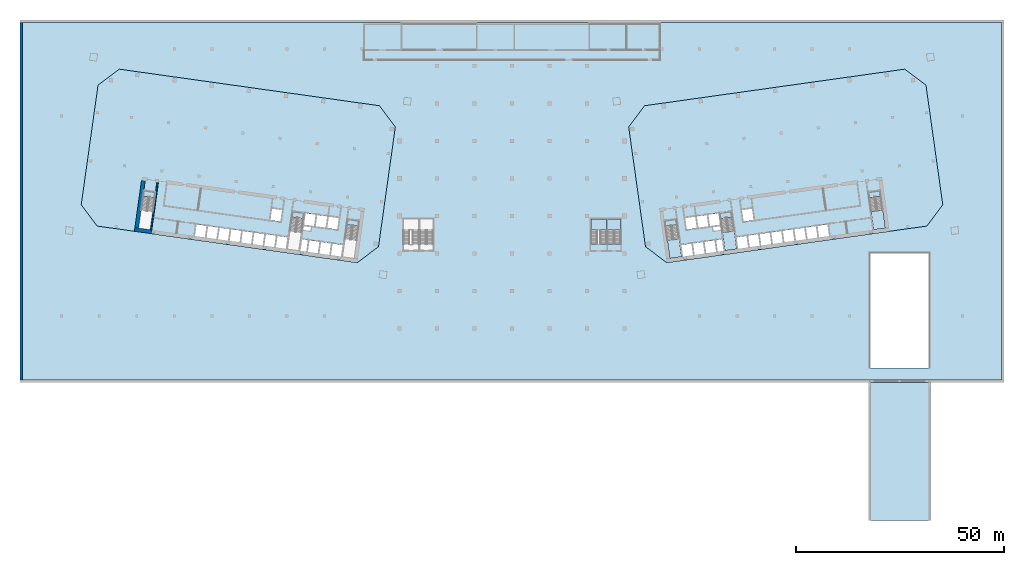
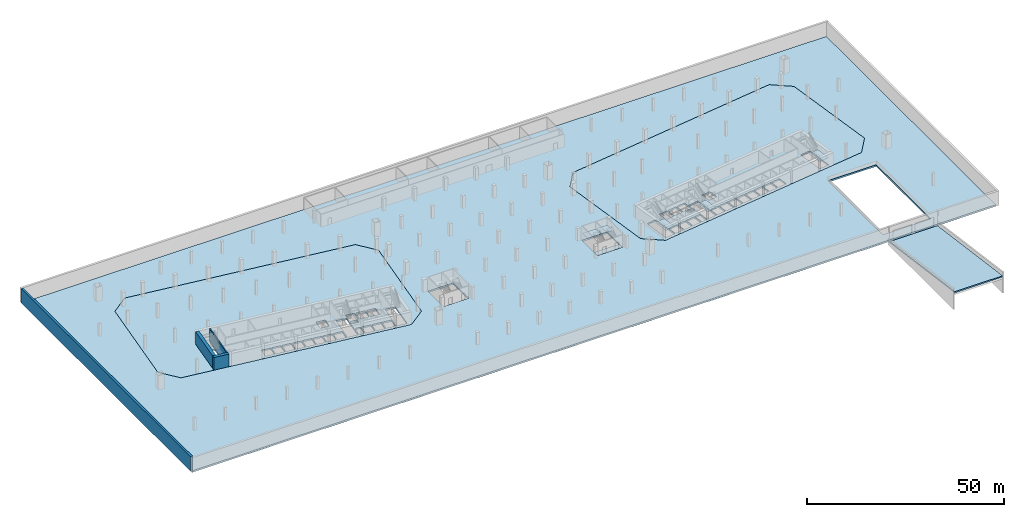
# One storey, part 2 of 17: 10 slabs, 4 walls, 5 elements without a shape of their own.
"""IFC4 building model written with IfcOpenShell, lengths in metres."""

from ifc_helpers import new_model, si_unit, direction, frame, frame_2d, origin, place, context, subcontext, project, spatial, polyline, rectangle, outline, extrude, material, layer, layer_set, type_object, element, aggregate, save


model = new_model("IFC4")

# Units and contexts
model_context = context("Model", 3, precision=1e-05, world=origin(), true_north=direction((0.0, 1.0)))
body_context = subcontext(model_context, "Body", "Model", "MODEL_VIEW")
ifc_project = project(units=[si_unit("LENGTHUNIT", "METRE"), si_unit("AREAUNIT", "SQUARE_METRE"), si_unit("VOLUMEUNIT", "CUBIC_METRE"), si_unit("PLANEANGLEUNIT", "RADIAN"), si_unit("MASSUNIT", "GRAM", prefix="KILO")], contexts=[model_context])

# Site, building, storey
site_placement = place(None, origin())
site = spatial("IfcSite", under=ifc_project, at=site_placement, CompositionType="ELEMENT")
building_placement = place(site_placement, origin())
building = spatial("IfcBuilding", under=site, at=building_placement, Name="Mirante Cascada Hotel Towers", CompositionType="ELEMENT")
storey_placement = place(building_placement, frame((0.0, 0.0, -4.5)))
storey = spatial("IfcBuildingStorey", under=building, at=storey_placement, Name="B1", CompositionType="ELEMENT", Elevation=-4.5)

# Stair, slab
ifc_material_1 = material(Name="Concrete C35/45", Category="concrete")
stair_type_1 = type_object("IfcStairType", Name="Exit stair half-turn 1350 concrete C35/45", PredefinedType="HALF_TURN_STAIR", material=ifc_material_1)
stair_1_placement = place(storey_placement, origin())
stair_1 = element("IfcStair", 1, at=stair_1_placement, inside=storey, type_object=stair_type_1, Name="B1 Exit stair A", PredefinedType="HALF_TURN_STAIR")
ifc_material_2 = material(Name="Concrete C35/45", Category="concrete")
ifc_layer_1 = layer(ifc_material_2, 0.2)
ifc_layer_set_1 = layer_set([ifc_layer_1], Name="Exit stair landing 200 concrete C35/45")
slab_type_1 = type_object("IfcSlabType", Name="Exit stair landing 200 concrete C35/45", PredefinedType="LANDING", material=ifc_layer_set_1)
slab_1_placement = place(storey_placement, frame((0.0, 0.0, 2.05)))
slab_1 = element("IfcSlab", 2, at=slab_1_placement, type_object=slab_type_1, Name="ST2-A landing 1", PredefinedType="LANDING", context=body_context, shape_type="SweptSolid", body=[
    extrude(outline(polyline([(37.2544, -14.8171), (37.8665, -19.1723), (40.6887, -18.7757), (40.0767, -14.4205), (37.2544, -14.8171)])), origin(), (0.0, 0.0, 1.0), 0.2),
])
aggregate(stair_1, [slab_1])

stair_2_placement = place(storey_placement, origin())
stair_2 = element("IfcStair", 3, at=stair_2_placement, inside=storey, type_object=stair_type_1, Name="B1 Exit stair B", PredefinedType="HALF_TURN_STAIR")
slab_2_placement = place(storey_placement, frame((0.0, 0.0, 2.05)))
slab_2 = element("IfcSlab", 4, at=slab_2_placement, type_object=slab_type_1, Name="ST2-B landing 1", PredefinedType="LANDING", context=body_context, shape_type="SweptSolid", body=[
    extrude(outline(polyline([(50.4745, -12.9592), (51.0866, -17.3144), (53.9088, -16.9177), (53.2967, -12.5625), (50.4745, -12.9592)])), origin(), (0.0, 0.0, 1.0), 0.2),
])
aggregate(stair_2, [slab_2])

stair_3_placement = place(storey_placement, origin())
stair_3 = element("IfcStair", 5, at=stair_3_placement, inside=storey, type_object=stair_type_1, Name="B1 Exit stair C", PredefinedType="HALF_TURN_STAIR")
slab_3_placement = place(storey_placement, frame((0.0, 0.0, 2.05)))
slab_3 = element("IfcSlab", 6, at=slab_3_placement, type_object=slab_type_1, Name="ST2-C landing 1", PredefinedType="LANDING", context=body_context, shape_type="SweptSolid", body=[
    extrude(outline(polyline([(86.1241, -7.9489), (86.7362, -12.3041), (89.5585, -11.9075), (88.9464, -7.5523), (86.1241, -7.9489)])), origin(), (0.0, 0.0, 1.0), 0.2),
])
aggregate(stair_3, [slab_3])

# Slabs
ifc_material_3 = material(Name="Concrete C35/45", Category="concrete")
ifc_layer_2 = layer(ifc_material_3, 0.5)
ifc_layer_set_2 = layer_set([ifc_layer_2], Name="Floor slab 500 C35/45")
slab_type_2 = type_object("IfcSlabType", Name="Floor slab 500 C35/45", PredefinedType="FLOOR", material=ifc_layer_set_2)
slab_4_placement = place(storey_placement, frame((0.0, 0.0, -0.5)))
element("IfcSlab", 7, at=slab_4_placement, inside=storey, type_object=slab_type_2, Name="Basement floor slab B1", PredefinedType="FLOOR", context=body_context, shape_type="SweptSolid", body=[
    extrude(outline(polyline([(-117.4, -48.4), (-117.4, 37.4), (117.4, 37.4), (117.4, -48.4), (-117.4, -48.4)]), holes=[polyline([(31.8119, 17.4414), (27.982, 12.3589), (32.018, -16.3589), (37.1005, -20.1888), (99.4874, -11.4209), (103.3173, -6.3384), (99.2813, 22.3794), (94.1988, 26.2093), (31.8119, 17.4414)]), polyline([(86.0, -45.5), (100.0, -45.5), (100.0, -18.0), (86.0, -18.0), (86.0, -45.5)]), polyline([(18.8, -17.4), (26.2, -17.4), (26.2, -9.6), (18.8, -9.6), (18.8, -17.4)]), polyline([(-26.2, -17.4), (-18.8, -17.4), (-18.8, -9.6), (-26.2, -9.6), (-26.2, -17.4)]), polyline([(-99.2813, 22.3794), (-103.3173, -6.3384), (-99.4874, -11.4209), (-37.1005, -20.1888), (-32.018, -16.3589), (-27.982, 12.3589), (-31.8119, 17.4414), (-94.1988, 26.2093), (-99.2813, 22.3794)])]), origin(), (0.0, 0.0, 1.0), 0.5),
])
ifc_material_4 = material(Name="Concrete C35/45", Category="concrete")
ifc_layer_3 = layer(ifc_material_4, 0.4)
ifc_layer_set_3 = layer_set([ifc_layer_3], Name="Open vehicle ramp slab 400 C35/45")
slab_type_3 = type_object("IfcSlabType", Name="Open vehicle ramp slab 400 C35/45", PredefinedType="FLOOR", material=ifc_layer_set_3)
slab_5_placement = place(storey_placement, frame((93.0, -49.0, 4.5), z_axis=(0.0, 0.0, 1.0), x_axis=(0.0, -1.0, 0.0)))
element("IfcSlab", 8, at=slab_5_placement, inside=storey, type_object=slab_type_3, Name="Vehicle ramp slab 2", PredefinedType="FLOOR", context=body_context, shape_type="SweptSolid", body=[
    extrude(outline(polyline([(0.0, -4.9), (33.0, -0.4), (33.0, 0.0), (0.0, -4.5), (0.0, -4.9)])), frame((0.0, 7.0, 0.0), z_axis=(0.0, -1.0, 0.0), x_axis=(1.0, 0.0, 0.0)), (0.0, 0.0, 1.0), 14.0),
])

# Stair, slab
ifc_material_5 = material(Name="Concrete C35/45", Category="concrete")
stair_type_2 = type_object("IfcStairType", Name="Podium exit stair half-turn 1500 concrete C35/45", PredefinedType="HALF_TURN_STAIR", material=ifc_material_5)
stair_4_placement = place(storey_placement, origin())
stair_4 = element("IfcStair", 9, at=stair_4_placement, inside=storey, type_object=stair_type_2, Name="B1 Podium exit stair 4", PredefinedType="HALF_TURN_STAIR")
ifc_material_6 = material(Name="Concrete C35/45", Category="concrete")
ifc_layer_4 = layer(ifc_material_6, 0.2)
ifc_layer_set_4 = layer_set([ifc_layer_4], Name="Podium exit stair landing 200 concrete C35/45")
slab_type_4 = type_object("IfcSlabType", Name="Podium exit stair landing 200 concrete C35/45", PredefinedType="LANDING", material=ifc_layer_set_4)
slab_6_placement = place(storey_placement, frame((0.0, 0.0, 2.05)))
slab_6 = element("IfcSlab", 10, at=slab_6_placement, type_object=slab_type_4, Name="PS2 landing 1", PredefinedType="LANDING", context=body_context, shape_type="SweptSolid", body=[
    extrude(outline(polyline([(26.075, -12.415), (26.075, -9.725), (22.925, -9.725), (22.925, -12.415), (26.075, -12.415)])), origin(), (0.0, 0.0, 1.0), 0.2),
])
aggregate(stair_4, [slab_6])

stair_5_placement = place(storey_placement, origin())
stair_5 = element("IfcStair", 11, at=stair_5_placement, inside=storey, type_object=stair_type_2, Name="B1 Podium exit stair 6", PredefinedType="HALF_TURN_STAIR")
slab_7_placement = place(storey_placement, frame((0.0, 0.0, 2.05)))
slab_7 = element("IfcSlab", 12, at=slab_7_placement, type_object=slab_type_4, Name="PS4 landing 1", PredefinedType="LANDING", context=body_context, shape_type="SweptSolid", body=[
    extrude(outline(polyline([(22.675, -12.415), (22.675, -9.725), (18.925, -9.725), (18.925, -12.415), (22.675, -12.415)])), origin(), (0.0, 0.0, 1.0), 0.2),
])
aggregate(stair_5, [slab_7])

# Slabs
ifc_material_7 = material(Name="Concrete C40/50", Category="concrete")
ifc_layer_5 = layer(ifc_material_7, 0.5)
ifc_layer_set_5 = layer_set([ifc_layer_5], Name="Post-tensioned flat plate 500 Concrete C40/50")
slab_type_5 = type_object("IfcSlabType", Name="Post-tensioned flat plate 500 Concrete C40/50", PredefinedType="FLOOR", material=ifc_layer_set_5)
slab_8_placement = place(storey_placement, frame((0.0, 0.0, -0.5)))
element("IfcSlab", 13, at=slab_8_placement, inside=storey, type_object=slab_type_5, Name="Floor T1 B1", PredefinedType="FLOOR", context=body_context, shape_type="SweptSolid", body=[
    extrude(outline(polyline([(-32.018, -16.3589), (-27.982, 12.3589), (-31.8119, 17.4414), (-94.1988, 26.2093), (-99.2813, 22.3794), (-103.3173, -6.3384), (-99.4874, -11.4209), (-37.1005, -20.1888), (-32.018, -16.3589)]), holes=[polyline([(-43.0718, -15.6132), (-40.5961, -15.9612), (-40.9858, -18.7339), (-43.4615, -18.386), (-43.0718, -15.6132)]), polyline([(-45.8446, -15.2236), (-43.3689, -15.5715), (-43.7586, -18.3442), (-46.2342, -17.9963), (-45.8446, -15.2236)]), polyline([(-48.6173, -14.8339), (-46.1416, -15.1818), (-46.5313, -17.9546), (-49.007, -17.6066), (-48.6173, -14.8339)]), polyline([(-50.7895, -17.3561), (-50.3998, -14.5834), (-48.9144, -14.7921), (-49.3041, -17.5649), (-50.7895, -17.3561)]), polyline([(-39.611, -11.107), (-36.7887, -11.5037), (-37.8665, -19.1723), (-40.6887, -18.7757), (-39.611, -11.107)]), polyline([(-50.0088, -9.6457), (-51.0866, -17.3144), (-53.9088, -16.9177), (-52.8311, -9.2491), (-50.0088, -9.6457)]), polyline([(-49.9544, -11.4145), (-48.1472, -11.6685), (-48.2829, -12.634), (-50.0901, -12.38), (-49.9544, -11.4145)]), polyline([(-43.9775, -9.124), (-41.5018, -9.472), (-41.8915, -12.2447), (-44.3672, -11.8968), (-43.9775, -9.124)]), polyline([(-47.1399, -11.5071), (-46.7503, -8.7344), (-44.2746, -9.0823), (-44.6643, -11.855), (-47.1399, -11.5071)]), polyline([(-49.9127, -11.1174), (-49.523, -8.3447), (-47.0473, -8.6926), (-47.437, -11.4654), (-49.9127, -11.1174)]), polyline([(-56.2919, -13.7553), (-53.8162, -14.1032), (-54.2059, -16.876), (-56.6816, -16.528), (-56.2919, -13.7553)]), polyline([(-59.0646, -13.3656), (-56.589, -13.7135), (-56.9787, -16.4863), (-59.4543, -16.1383), (-59.0646, -13.3656)]), polyline([(-61.8374, -12.9759), (-59.3617, -13.3238), (-59.7514, -16.0966), (-62.2271, -15.7487), (-61.8374, -12.9759)]), polyline([(-64.9998, -15.359), (-64.6101, -12.5862), (-62.1345, -12.9342), (-62.5242, -15.7069), (-64.9998, -15.359)]), polyline([(-67.7726, -14.9693), (-67.3829, -12.1965), (-64.9072, -12.5445), (-65.2969, -15.3172), (-67.7726, -14.9693)]), polyline([(-70.1556, -11.8069), (-67.68, -12.1548), (-68.0697, -14.9275), (-70.5453, -14.5796), (-70.1556, -11.8069)]), polyline([(-72.9284, -11.4172), (-70.4527, -11.7651), (-70.8424, -14.5379), (-73.3181, -14.1899), (-72.9284, -11.4172)]), polyline([(-75.7011, -11.0275), (-73.2255, -11.3754), (-73.6152, -14.1482), (-76.0908, -13.8002), (-75.7011, -11.0275)]), polyline([(-88.4807, -4.2388), (-85.6585, -4.6355), (-86.7362, -12.3041), (-89.5585, -11.9075), (-88.4807, -4.2388)]), polyline([(-57.9834, -9.9832), (-57.5937, -7.2104), (-55.118, -7.5583), (-55.5077, -10.3311), (-57.9834, -9.9832)])]), origin(), (0.0, 0.0, 1.0), 0.5),
])
slab_9_placement = place(storey_placement, frame((0.0, 0.0, -0.5)))
element("IfcSlab", 14, at=slab_9_placement, inside=storey, type_object=slab_type_5, Name="Floor T2 B1", PredefinedType="FLOOR", context=body_context, shape_type="SweptSolid", body=[
    extrude(outline(polyline([(32.018, -16.3589), (27.982, 12.3589), (31.8119, 17.4414), (94.1988, 26.2093), (99.2813, 22.3794), (103.3173, -6.3384), (99.4874, -11.4209), (37.1005, -20.1888), (32.018, -16.3589)]), holes=[polyline([(43.0718, -15.6132), (40.5961, -15.9612), (40.9858, -18.7339), (43.4615, -18.386), (43.0718, -15.6132)]), polyline([(45.8446, -15.2236), (43.3689, -15.5715), (43.7586, -18.3442), (46.2342, -17.9963), (45.8446, -15.2236)]), polyline([(48.6173, -14.8339), (46.1416, -15.1818), (46.5313, -17.9546), (49.007, -17.6066), (48.6173, -14.8339)]), polyline([(50.7895, -17.3561), (50.3998, -14.5834), (48.9144, -14.7921), (49.3041, -17.5649), (50.7895, -17.3561)]), polyline([(36.7887, -11.5037), (37.8665, -19.1723), (40.6887, -18.7757), (39.611, -11.107), (36.7887, -11.5037)]), polyline([(51.0866, -17.3144), (53.9088, -16.9177), (52.8311, -9.2491), (50.0088, -9.6457), (51.0866, -17.3144)]), polyline([(49.9544, -11.4145), (48.1472, -11.6685), (48.2829, -12.634), (50.0901, -12.38), (49.9544, -11.4145)]), polyline([(43.9775, -9.124), (41.5018, -9.472), (41.8915, -12.2447), (44.3672, -11.8968), (43.9775, -9.124)]), polyline([(47.1399, -11.5071), (46.7503, -8.7344), (44.2746, -9.0823), (44.6643, -11.855), (47.1399, -11.5071)]), polyline([(49.9127, -11.1174), (49.523, -8.3447), (47.0473, -8.6926), (47.437, -11.4654), (49.9127, -11.1174)]), polyline([(56.2919, -13.7553), (53.8162, -14.1032), (54.2059, -16.876), (56.6816, -16.528), (56.2919, -13.7553)]), polyline([(59.0646, -13.3656), (56.589, -13.7135), (56.9787, -16.4863), (59.4543, -16.1383), (59.0646, -13.3656)]), polyline([(61.8374, -12.9759), (59.3617, -13.3238), (59.7514, -16.0966), (62.2271, -15.7487), (61.8374, -12.9759)]), polyline([(64.9998, -15.359), (64.6101, -12.5862), (62.1345, -12.9342), (62.5242, -15.7069), (64.9998, -15.359)]), polyline([(67.7726, -14.9693), (67.3829, -12.1965), (64.9072, -12.5445), (65.2969, -15.3172), (67.7726, -14.9693)]), polyline([(70.1556, -11.8069), (67.68, -12.1548), (68.0697, -14.9275), (70.5453, -14.5796), (70.1556, -11.8069)]), polyline([(72.9284, -11.4172), (70.4527, -11.7651), (70.8424, -14.5379), (73.3181, -14.1899), (72.9284, -11.4172)]), polyline([(75.7011, -11.0275), (73.2255, -11.3754), (73.6152, -14.1482), (76.0908, -13.8002), (75.7011, -11.0275)]), polyline([(85.6585, -4.6355), (86.7362, -12.3041), (89.5585, -11.9075), (88.4807, -4.2388), (85.6585, -4.6355)]), polyline([(57.9834, -9.9832), (57.5937, -7.2104), (55.118, -7.5583), (55.5077, -10.3311), (57.9834, -9.9832)])]), origin(), (0.0, 0.0, 1.0), 0.5),
])
ifc_material_8 = material(Name="Concrete C35/45", Category="concrete")
ifc_layer_6 = layer(ifc_material_8, 0.5)
ifc_layer_set_6 = layer_set([ifc_layer_6], Name="Stair floor landing 500 concrete C35/45")
slab_type_6 = type_object("IfcSlabType", Name="Stair floor landing 500 concrete C35/45", PredefinedType="LANDING", material=ifc_layer_set_6)
slab_10_placement = place(storey_placement, frame((0.0, 0.0, -0.5)))
element("IfcSlab", 15, at=slab_10_placement, inside=storey, type_object=slab_type_6, Name="Exit stair 4 floor landing B1", PredefinedType="LANDING", context=body_context, shape_type="SweptSolid", body=[
    extrude(outline(polyline([(18.8, -17.4), (26.2, -17.4), (26.2, -15.775), (18.8, -15.775), (18.8, -17.4)])), origin(), (0.0, 0.0, 1.0), 0.5),
])

# Walls
ifc_material_9 = material(Name="Concrete C50/60", Category="concrete")
ifc_layer_7 = layer(ifc_material_9, 0.3)
ifc_layer_set_7 = layer_set([ifc_layer_7], Name="RC core wall 300 C50/60")
wall_type_1 = type_object("IfcWallType", Name="RC core wall 300 C50/60", PredefinedType="SHEAR", material=ifc_layer_set_7)
wall_1_placement = place(storey_placement, frame((-86.5877, -12.325, 0.0), z_axis=(0.0, 0.0, 1.0), x_axis=(0.1391749, 0.9902678, 0.0)))
element("IfcWall", 16, at=wall_1_placement, inside=storey, type_object=wall_type_1, Name="Core wall T1:B1:8", PredefinedType="SHEAR", context=body_context, shape_type="SweptSolid", body=[
    extrude(rectangle(XDim=11.4, YDim=0.3, at=frame_2d((5.7, 0.0))), origin(), (0.0, 0.0, 1.0), 3.9),
])
ifc_material_10 = material(Name="Concrete C50/60", Category="concrete")
ifc_layer_8 = layer(ifc_material_10, 0.9)
ifc_layer_set_8 = layer_set([ifc_layer_8], Name="RC core wall 900 C50/60")
wall_type_2 = type_object("IfcWallType", Name="RC core wall 900 C50/60", PredefinedType="SHEAR", material=ifc_layer_set_8)
wall_2_placement = place(storey_placement, frame((-86.4027, -12.8054, 0.0), z_axis=(0.0, 0.0, 1.0), x_axis=(-0.990267, 0.139181, 0.0)))
element("IfcWall", 17, at=wall_2_placement, inside=storey, type_object=wall_type_2, Name="Core wall T1:B1:1.7", PredefinedType="SHEAR", context=body_context, shape_type="SweptSolid", body=[
    extrude(rectangle(XDim=4.15, YDim=0.9, at=frame_2d((2.075, 0.0))), origin(), (0.0, 0.0, 1.0), 3.9),
])
wall_3_placement = place(storey_placement, frame((-90.0041, -11.8449, 0.0), z_axis=(0.0, 0.0, 1.0), x_axis=(0.1391749, 0.9902678, 0.0)))
element("IfcWall", 18, at=wall_3_placement, inside=storey, type_object=wall_type_2, Name="Core wall T1:B1:4", PredefinedType="SHEAR", context=body_context, shape_type="SweptSolid", body=[
    extrude(rectangle(XDim=11.4, YDim=0.9, at=frame_2d((5.7, 0.0))), origin(), (0.0, 0.0, 1.0), 3.9),
])
ifc_material_11 = material(Name="Concrete C35/45", Category="concrete")
ifc_layer_9 = layer(ifc_material_11, 0.6)
ifc_layer_set_9 = layer_set([ifc_layer_9], Name="Retaining wall 600 C35/45")
wall_type_3 = type_object("IfcWallType", Name="Retaining wall 600 C35/45", PredefinedType="SOLIDWALL", material=ifc_layer_set_9)
wall_4_placement = place(storey_placement, frame((-117.7, -48.4, 0.0), z_axis=(0.0, 0.0, 1.0), x_axis=(0.0, 1.0, 0.0)))
element("IfcWall", 19, at=wall_4_placement, inside=storey, type_object=wall_type_3, Name="wall:B:B1:1", PredefinedType="SOLIDWALL", context=body_context, shape_type="SweptSolid", body=[
    extrude(rectangle(XDim=85.8, YDim=0.6, at=frame_2d((42.9, 0.0))), origin(), (0.0, 0.0, 1.0), 4.5),
])

save(model, "model.ifc")
